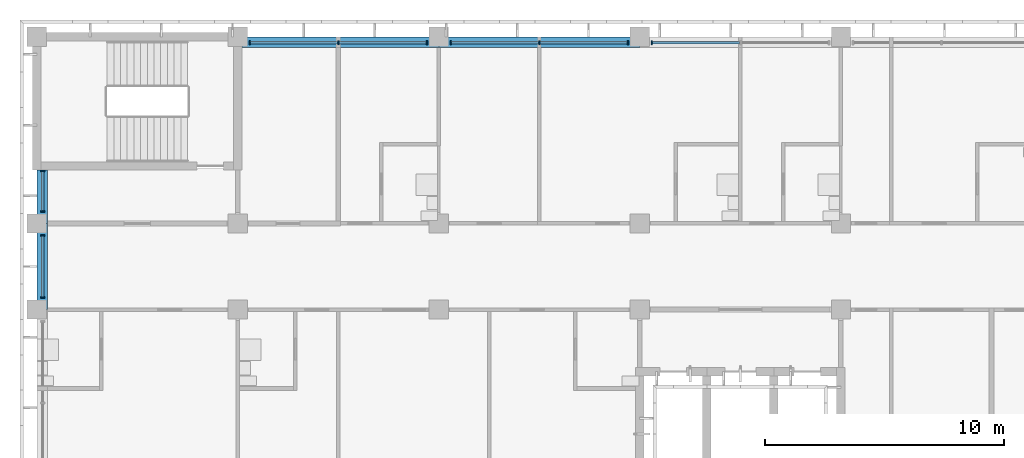
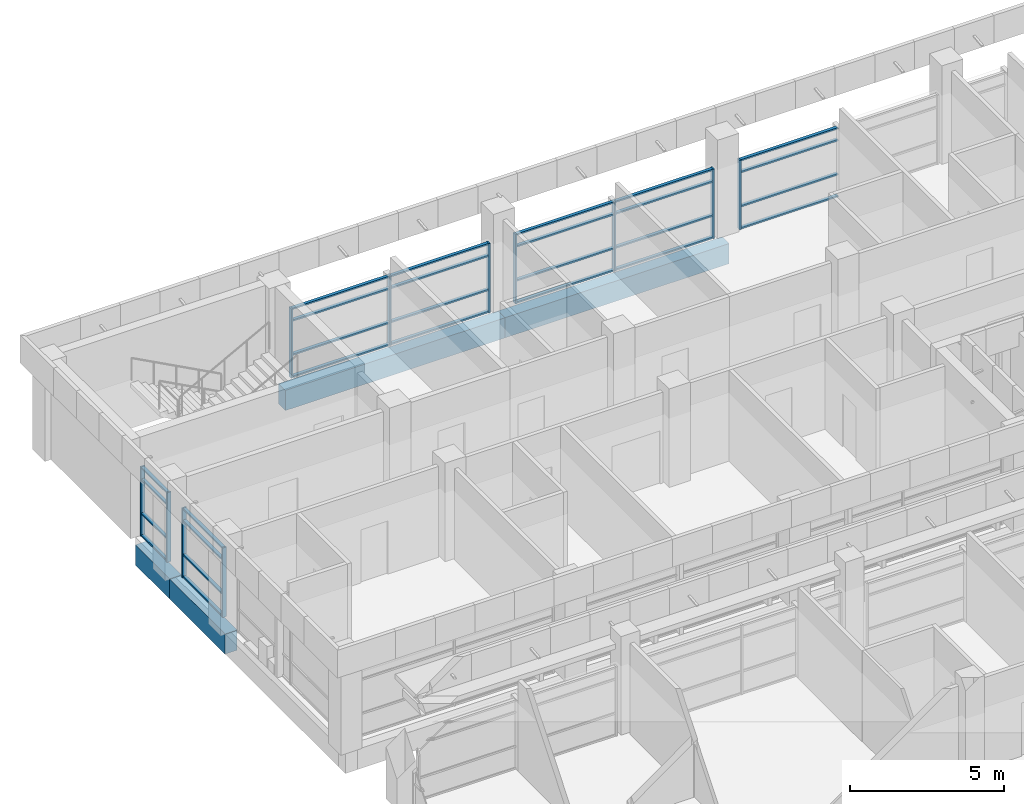
# One storey, part 9 of 71: 39 members, 4 beams, 5 elements without a shape of their own.
"""IFC4 building model written with IfcOpenShell, lengths in metres."""

from ifc_helpers import new_model, si_unit, direction, frame, origin, origin_2d, place, context, subcontext, project, spatial, rectangle, extrude, material, material_profile, profile_set, type_object, element, aggregate, save


model = new_model("IFC4")

# Units and contexts
model_context = context("Model", 3, precision=1e-05, world=origin(), true_north=direction((0.0, 1.0)))
body_context = subcontext(model_context, "Body", "Model", "MODEL_VIEW")
ifc_project = project(units=[si_unit("LENGTHUNIT", "METRE"), si_unit("AREAUNIT", "SQUARE_METRE"), si_unit("VOLUMEUNIT", "CUBIC_METRE"), si_unit("PLANEANGLEUNIT", "RADIAN"), si_unit("MASSUNIT", "GRAM", prefix="KILO")], contexts=[model_context])

# Site, building, storey
site_placement = place(None, origin())
site = spatial("IfcSite", under=ifc_project, at=site_placement, CompositionType="ELEMENT")
building_placement = place(site_placement, origin())
building = spatial("IfcBuilding", under=site, at=building_placement, Name="Bougainvillea Quay General Hospital", CompositionType="ELEMENT")
storey_placement = place(building_placement, frame((0.0, 0.0, 24.89990234375)))
storey = spatial("IfcBuildingStorey", under=building, at=storey_placement, Name="L05", CompositionType="ELEMENT", Elevation=24.89990234375)

# Curtain wall, member
ifc_material_1 = material(Name="Aluminium curtain wall system, powder-coated glazed", Category="aluminium")
curtain_wall_type_1 = type_object("IfcCurtainWallType", Name="Unitised curtain wall CW-3730", PredefinedType="NOTDEFINED", material=ifc_material_1)
curtain_wall_1_placement = place(storey_placement, origin())
curtain_wall_1 = element("IfcCurtainWall", 1, at=curtain_wall_1_placement, inside=storey, type_object=curtain_wall_type_1, Name="CW-4200 09", PredefinedType="NOTDEFINED")
ifc_material_2 = material(Name="Aluminium mullion, powder-coated charcoal", Category="aluminium")
ifc_material_profile_1 = material_profile(ifc_material_2, rectangle(XDim=0.159912109375, YDim=0.06005859375, at=origin_2d()))
ifc_profile_set_1 = profile_set([ifc_material_profile_1], Name="Aluminium mullion, powder-coated charcoal")
member_type_1 = type_object("IfcMemberType", Name="Curtain wall mullion 160x60", PredefinedType="MULLION", material=ifc_profile_set_1)
member_1_placement = place(storey_placement, frame((67.699951171875, 159.35009765625, 0.0), z_axis=(0.0, 0.0, 1.0), x_axis=(0.0, -1.0, 0.0)))
member_1 = element("IfcMember", 2, at=member_1_placement, type_object=member_type_1, Name="CW-4200 mullion 3", PredefinedType="MULLION", context=body_context, shape_type="SweptSolid", body=[
    extrude(rectangle(XDim=0.159912109375, YDim=0.06005859375, at=origin_2d()), origin(), (0.0, 0.0, 1.0), 2.75),
])

# Curtain wall, members
curtain_wall_2_placement = place(storey_placement, origin())
curtain_wall_2 = element("IfcCurtainWall", 3, at=curtain_wall_2_placement, inside=storey, type_object=curtain_wall_type_1, Name="CW-4200 10", PredefinedType="NOTDEFINED")
member_2_placement = place(storey_placement, frame((66.699951171875, 159.35009765625, 0.0), z_axis=(0.0, 0.0, 1.0), x_axis=(0.0, -1.0, 0.0)))
member_2 = element("IfcMember", 4, at=member_2_placement, type_object=member_type_1, Name="CW-4200 mullion 1", PredefinedType="MULLION", context=body_context, shape_type="SweptSolid", body=[
    extrude(rectangle(XDim=0.159912109375, YDim=0.06005859375, at=origin_2d()), origin(), (0.0, 0.0, 1.0), 2.75),
])
member_3_placement = place(storey_placement, frame((63.0, 159.35009765625, 0.0), z_axis=(0.0, 0.0, 1.0), x_axis=(0.0, -1.0, 0.0)))
member_3 = element("IfcMember", 5, at=member_3_placement, type_object=member_type_1, Name="CW-4200 mullion 2", PredefinedType="MULLION", context=body_context, shape_type="SweptSolid", body=[
    extrude(rectangle(XDim=0.159912109375, YDim=0.06005859375, at=origin_2d()), origin(), (0.0, 0.0, 1.0), 2.75),
])
member_4_placement = place(storey_placement, frame((59.300048828125, 159.35009765625, 0.0), z_axis=(0.0, 0.0, 1.0), x_axis=(0.0, -1.0, 0.0)))
member_4 = element("IfcMember", 6, at=member_4_placement, type_object=member_type_1, Name="CW-4200 mullion 3", PredefinedType="MULLION", context=body_context, shape_type="SweptSolid", body=[
    extrude(rectangle(XDim=0.159912109375, YDim=0.06005859375, at=origin_2d()), origin(), (0.0, 0.0, 1.0), 2.75),
])

curtain_wall_3_placement = place(storey_placement, origin())
curtain_wall_3 = element("IfcCurtainWall", 7, at=curtain_wall_3_placement, inside=storey, type_object=curtain_wall_type_1, Name="CW-4200 11", PredefinedType="NOTDEFINED")
member_5_placement = place(storey_placement, frame((58.300048828125, 159.35009765625, 0.0), z_axis=(0.0, 0.0, 1.0), x_axis=(0.0, -1.0, 0.0)))
member_5 = element("IfcMember", 8, at=member_5_placement, type_object=member_type_1, Name="CW-4200 mullion 1", PredefinedType="MULLION", context=body_context, shape_type="SweptSolid", body=[
    extrude(rectangle(XDim=0.159912109375, YDim=0.06005859375, at=origin_2d()), origin(), (0.0, 0.0, 1.0), 2.75),
])
member_6_placement = place(storey_placement, frame((54.60009765625, 159.35009765625, 0.0), z_axis=(0.0, 0.0, 1.0), x_axis=(0.0, -1.0, 0.0)))
member_6 = element("IfcMember", 9, at=member_6_placement, type_object=member_type_1, Name="CW-4200 mullion 2", PredefinedType="MULLION", context=body_context, shape_type="SweptSolid", body=[
    extrude(rectangle(XDim=0.159912109375, YDim=0.06005859375, at=origin_2d()), origin(), (0.0, 0.0, 1.0), 2.75),
])
member_7_placement = place(storey_placement, frame((50.89990234375, 159.35009765625, 0.0), z_axis=(0.0, 0.0, 1.0), x_axis=(0.0, -1.0, 0.0)))
member_7 = element("IfcMember", 10, at=member_7_placement, type_object=member_type_1, Name="CW-4200 mullion 3", PredefinedType="MULLION", context=body_context, shape_type="SweptSolid", body=[
    extrude(rectangle(XDim=0.159912109375, YDim=0.06005859375, at=origin_2d()), origin(), (0.0, 0.0, 1.0), 2.75),
])

curtain_wall_type_2 = type_object("IfcCurtainWallType", Name="Unitised curtain wall CW-1755", PredefinedType="NOTDEFINED", material=ifc_material_1)
curtain_wall_4_placement = place(storey_placement, origin())
curtain_wall_4 = element("IfcCurtainWall", 11, at=curtain_wall_4_placement, inside=storey, type_object=curtain_wall_type_2, Name="CW-4200 00", PredefinedType="NOTDEFINED")
member_8_placement = place(storey_placement, frame((42.25, 153.9951171875, 0.0), z_axis=(0.0, 0.0, 1.0), x_axis=(1.0, 0.0, 0.0)))
member_8 = element("IfcMember", 12, at=member_8_placement, type_object=member_type_1, Name="CW-4200 mullion 1", PredefinedType="MULLION", context=body_context, shape_type="SweptSolid", body=[
    extrude(rectangle(XDim=0.159912109375, YDim=0.06005859375, at=origin_2d()), origin(), (0.0, 0.0, 1.0), 2.75),
])
member_9_placement = place(storey_placement, frame((42.25, 152.300048828125, 0.0), z_axis=(0.0, 0.0, 1.0), x_axis=(1.0, 0.0, 0.0)))
member_9 = element("IfcMember", 13, at=member_9_placement, type_object=member_type_1, Name="CW-4200 mullion 2", PredefinedType="MULLION", context=body_context, shape_type="SweptSolid", body=[
    extrude(rectangle(XDim=0.159912109375, YDim=0.06005859375, at=origin_2d()), origin(), (0.0, 0.0, 1.0), 2.75),
])

curtain_wall_type_3 = type_object("IfcCurtainWallType", Name="Unitised curtain wall CW-2660", PredefinedType="NOTDEFINED", material=ifc_material_1)
curtain_wall_5_placement = place(storey_placement, origin())
curtain_wall_5 = element("IfcCurtainWall", 14, at=curtain_wall_5_placement, inside=storey, type_object=curtain_wall_type_3, Name="CW-4200 01", PredefinedType="NOTDEFINED")
member_10_placement = place(storey_placement, frame((42.25, 151.300048828125, 0.0), z_axis=(0.0, 0.0, 1.0), x_axis=(1.0, 0.0, 0.0)))
member_10 = element("IfcMember", 15, at=member_10_placement, type_object=member_type_1, Name="CW-4200 mullion 1", PredefinedType="MULLION", context=body_context, shape_type="SweptSolid", body=[
    extrude(rectangle(XDim=0.159912109375, YDim=0.06005859375, at=origin_2d()), origin(), (0.0, 0.0, 1.0), 2.75),
])
member_11_placement = place(storey_placement, frame((42.25, 148.699951171875, 0.0), z_axis=(0.0, 0.0, 1.0), x_axis=(1.0, 0.0, 0.0)))
member_11 = element("IfcMember", 16, at=member_11_placement, type_object=member_type_1, Name="CW-4200 mullion 2", PredefinedType="MULLION", context=body_context, shape_type="SweptSolid", body=[
    extrude(rectangle(XDim=0.159912109375, YDim=0.06005859375, at=origin_2d()), origin(), (0.0, 0.0, 1.0), 2.75),
])

# Member
ifc_material_3 = material(Name="Aluminium transom, powder-coated charcoal", Category="aluminium")
ifc_material_profile_2 = material_profile(ifc_material_3, rectangle(XDim=0.1201171875, YDim=0.06005859375, at=origin_2d()))
ifc_profile_set_2 = profile_set([ifc_material_profile_2], Name="Aluminium transom, powder-coated charcoal")
member_type_2 = type_object("IfcMemberType", Name="Curtain wall transom 120x60", PredefinedType="USERDEFINED", material=ifc_profile_set_2)
member_12_placement = place(storey_placement, frame((71.3701171875, 159.35009765625, 0.030029296875), z_axis=(-1.0, 0.0, 0.0), x_axis=(0.0, -1.0, 0.0)))
member_12 = element("IfcMember", 17, at=member_12_placement, type_object=member_type_2, Name="CW-4200 transom 2.1", ObjectType="TRANSOM", PredefinedType="USERDEFINED", context=body_context, shape_type="SweptSolid", body=[
    extrude(rectangle(XDim=0.1201171875, YDim=0.06005859375, at=origin_2d()), origin(), (0.0, 0.0, 1.0), 3.64013671875),
])

member_13_placement = place(storey_placement, frame((71.3701171875, 159.35009765625, 0.900146484375), z_axis=(-1.0, 0.0, 0.0), x_axis=(0.0, -1.0, 0.0)))
member_13 = element("IfcMember", 18, at=member_13_placement, type_object=member_type_2, Name="CW-4200 transom 2.2", ObjectType="TRANSOM", PredefinedType="USERDEFINED", context=body_context, shape_type="SweptSolid", body=[
    extrude(rectangle(XDim=0.1201171875, YDim=0.06005859375, at=origin_2d()), origin(), (0.0, 0.0, 1.0), 3.64013671875),
])

member_14_placement = place(storey_placement, frame((71.3701171875, 159.35009765625, 2.25), z_axis=(-1.0, 0.0, 0.0), x_axis=(0.0, -1.0, 0.0)))
member_14 = element("IfcMember", 19, at=member_14_placement, type_object=member_type_2, Name="CW-4200 transom 2.3", ObjectType="TRANSOM", PredefinedType="USERDEFINED", context=body_context, shape_type="SweptSolid", body=[
    extrude(rectangle(XDim=0.1201171875, YDim=0.06005859375, at=origin_2d()), origin(), (0.0, 0.0, 1.0), 3.64013671875),
])

member_15_placement = place(storey_placement, frame((71.3701171875, 159.35009765625, 2.72021484375), z_axis=(-1.0, 0.0, 0.0), x_axis=(0.0, -1.0, 0.0)))
member_15 = element("IfcMember", 20, at=member_15_placement, type_object=member_type_2, Name="CW-4200 transom 2.4", ObjectType="TRANSOM", PredefinedType="USERDEFINED", context=body_context, shape_type="SweptSolid", body=[
    extrude(rectangle(XDim=0.1201171875, YDim=0.06005859375, at=origin_2d()), origin(), (0.0, 0.0, 1.0), 3.64013671875),
])

aggregate(curtain_wall_1, [member_1, member_12, member_13, member_14, member_15])

member_16_placement = place(storey_placement, frame((66.669921875, 159.35009765625, 0.030029296875), z_axis=(-1.0, 0.0, 0.0), x_axis=(0.0, -1.0, 0.0)))
member_16 = element("IfcMember", 21, at=member_16_placement, type_object=member_type_2, Name="CW-4200 transom 1.1", ObjectType="TRANSOM", PredefinedType="USERDEFINED", context=body_context, shape_type="SweptSolid", body=[
    extrude(rectangle(XDim=0.1201171875, YDim=0.06005859375, at=origin_2d()), origin(), (0.0, 0.0, 1.0), 3.639892578125),
])

member_17_placement = place(storey_placement, frame((66.669921875, 159.35009765625, 0.900146484375), z_axis=(-1.0, 0.0, 0.0), x_axis=(0.0, -1.0, 0.0)))
member_17 = element("IfcMember", 22, at=member_17_placement, type_object=member_type_2, Name="CW-4200 transom 1.2", ObjectType="TRANSOM", PredefinedType="USERDEFINED", context=body_context, shape_type="SweptSolid", body=[
    extrude(rectangle(XDim=0.1201171875, YDim=0.06005859375, at=origin_2d()), origin(), (0.0, 0.0, 1.0), 3.639892578125),
])

member_18_placement = place(storey_placement, frame((66.669921875, 159.35009765625, 2.25), z_axis=(-1.0, 0.0, 0.0), x_axis=(0.0, -1.0, 0.0)))
member_18 = element("IfcMember", 23, at=member_18_placement, type_object=member_type_2, Name="CW-4200 transom 1.3", ObjectType="TRANSOM", PredefinedType="USERDEFINED", context=body_context, shape_type="SweptSolid", body=[
    extrude(rectangle(XDim=0.1201171875, YDim=0.06005859375, at=origin_2d()), origin(), (0.0, 0.0, 1.0), 3.639892578125),
])

member_19_placement = place(storey_placement, frame((66.669921875, 159.35009765625, 2.72021484375), z_axis=(-1.0, 0.0, 0.0), x_axis=(0.0, -1.0, 0.0)))
member_19 = element("IfcMember", 24, at=member_19_placement, type_object=member_type_2, Name="CW-4200 transom 1.4", ObjectType="TRANSOM", PredefinedType="USERDEFINED", context=body_context, shape_type="SweptSolid", body=[
    extrude(rectangle(XDim=0.1201171875, YDim=0.06005859375, at=origin_2d()), origin(), (0.0, 0.0, 1.0), 3.639892578125),
])

member_20_placement = place(storey_placement, frame((62.969970703125, 159.35009765625, 0.030029296875), z_axis=(-1.0, 0.0, 0.0), x_axis=(0.0, -1.0, 0.0)))
member_20 = element("IfcMember", 25, at=member_20_placement, type_object=member_type_2, Name="CW-4200 transom 2.1", ObjectType="TRANSOM", PredefinedType="USERDEFINED", context=body_context, shape_type="SweptSolid", body=[
    extrude(rectangle(XDim=0.1201171875, YDim=0.06005859375, at=origin_2d()), origin(), (0.0, 0.0, 1.0), 3.639892578125),
])

member_21_placement = place(storey_placement, frame((62.969970703125, 159.35009765625, 0.900146484375), z_axis=(-1.0, 0.0, 0.0), x_axis=(0.0, -1.0, 0.0)))
member_21 = element("IfcMember", 26, at=member_21_placement, type_object=member_type_2, Name="CW-4200 transom 2.2", ObjectType="TRANSOM", PredefinedType="USERDEFINED", context=body_context, shape_type="SweptSolid", body=[
    extrude(rectangle(XDim=0.1201171875, YDim=0.06005859375, at=origin_2d()), origin(), (0.0, 0.0, 1.0), 3.639892578125),
])

member_22_placement = place(storey_placement, frame((62.969970703125, 159.35009765625, 2.25), z_axis=(-1.0, 0.0, 0.0), x_axis=(0.0, -1.0, 0.0)))
member_22 = element("IfcMember", 27, at=member_22_placement, type_object=member_type_2, Name="CW-4200 transom 2.3", ObjectType="TRANSOM", PredefinedType="USERDEFINED", context=body_context, shape_type="SweptSolid", body=[
    extrude(rectangle(XDim=0.1201171875, YDim=0.06005859375, at=origin_2d()), origin(), (0.0, 0.0, 1.0), 3.639892578125),
])

member_23_placement = place(storey_placement, frame((62.969970703125, 159.35009765625, 2.72021484375), z_axis=(-1.0, 0.0, 0.0), x_axis=(0.0, -1.0, 0.0)))
member_23 = element("IfcMember", 28, at=member_23_placement, type_object=member_type_2, Name="CW-4200 transom 2.4", ObjectType="TRANSOM", PredefinedType="USERDEFINED", context=body_context, shape_type="SweptSolid", body=[
    extrude(rectangle(XDim=0.1201171875, YDim=0.06005859375, at=origin_2d()), origin(), (0.0, 0.0, 1.0), 3.639892578125),
])

aggregate(curtain_wall_2, [member_2, member_3, member_4, member_16, member_17, member_18, member_19, member_20, member_21, member_22, member_23])

member_24_placement = place(storey_placement, frame((58.27001953125, 159.35009765625, 0.030029296875), z_axis=(-1.0, 0.0, 0.0), x_axis=(0.0, -1.0, 0.0)))
member_24 = element("IfcMember", 29, at=member_24_placement, type_object=member_type_2, Name="CW-4200 transom 1.1", ObjectType="TRANSOM", PredefinedType="USERDEFINED", context=body_context, shape_type="SweptSolid", body=[
    extrude(rectangle(XDim=0.1201171875, YDim=0.06005859375, at=origin_2d()), origin(), (0.0, 0.0, 1.0), 3.64013671875),
])

member_25_placement = place(storey_placement, frame((58.27001953125, 159.35009765625, 0.900146484375), z_axis=(-1.0, 0.0, 0.0), x_axis=(0.0, -1.0, 0.0)))
member_25 = element("IfcMember", 30, at=member_25_placement, type_object=member_type_2, Name="CW-4200 transom 1.2", ObjectType="TRANSOM", PredefinedType="USERDEFINED", context=body_context, shape_type="SweptSolid", body=[
    extrude(rectangle(XDim=0.1201171875, YDim=0.06005859375, at=origin_2d()), origin(), (0.0, 0.0, 1.0), 3.64013671875),
])

member_26_placement = place(storey_placement, frame((58.27001953125, 159.35009765625, 2.25), z_axis=(-1.0, 0.0, 0.0), x_axis=(0.0, -1.0, 0.0)))
member_26 = element("IfcMember", 31, at=member_26_placement, type_object=member_type_2, Name="CW-4200 transom 1.3", ObjectType="TRANSOM", PredefinedType="USERDEFINED", context=body_context, shape_type="SweptSolid", body=[
    extrude(rectangle(XDim=0.1201171875, YDim=0.06005859375, at=origin_2d()), origin(), (0.0, 0.0, 1.0), 3.64013671875),
])

member_27_placement = place(storey_placement, frame((58.27001953125, 159.35009765625, 2.72021484375), z_axis=(-1.0, 0.0, 0.0), x_axis=(0.0, -1.0, 0.0)))
member_27 = element("IfcMember", 32, at=member_27_placement, type_object=member_type_2, Name="CW-4200 transom 1.4", ObjectType="TRANSOM", PredefinedType="USERDEFINED", context=body_context, shape_type="SweptSolid", body=[
    extrude(rectangle(XDim=0.1201171875, YDim=0.06005859375, at=origin_2d()), origin(), (0.0, 0.0, 1.0), 3.64013671875),
])

member_28_placement = place(storey_placement, frame((54.570068359375, 159.35009765625, 0.030029296875), z_axis=(-1.0, 0.0, 0.0), x_axis=(0.0, -1.0, 0.0)))
member_28 = element("IfcMember", 33, at=member_28_placement, type_object=member_type_2, Name="CW-4200 transom 2.1", ObjectType="TRANSOM", PredefinedType="USERDEFINED", context=body_context, shape_type="SweptSolid", body=[
    extrude(rectangle(XDim=0.1201171875, YDim=0.06005859375, at=origin_2d()), origin(), (0.0, 0.0, 1.0), 3.64013671875),
])

member_29_placement = place(storey_placement, frame((54.570068359375, 159.35009765625, 0.900146484375), z_axis=(-1.0, 0.0, 0.0), x_axis=(0.0, -1.0, 0.0)))
member_29 = element("IfcMember", 34, at=member_29_placement, type_object=member_type_2, Name="CW-4200 transom 2.2", ObjectType="TRANSOM", PredefinedType="USERDEFINED", context=body_context, shape_type="SweptSolid", body=[
    extrude(rectangle(XDim=0.1201171875, YDim=0.06005859375, at=origin_2d()), origin(), (0.0, 0.0, 1.0), 3.64013671875),
])

member_30_placement = place(storey_placement, frame((54.570068359375, 159.35009765625, 2.25), z_axis=(-1.0, 0.0, 0.0), x_axis=(0.0, -1.0, 0.0)))
member_30 = element("IfcMember", 35, at=member_30_placement, type_object=member_type_2, Name="CW-4200 transom 2.3", ObjectType="TRANSOM", PredefinedType="USERDEFINED", context=body_context, shape_type="SweptSolid", body=[
    extrude(rectangle(XDim=0.1201171875, YDim=0.06005859375, at=origin_2d()), origin(), (0.0, 0.0, 1.0), 3.64013671875),
])

member_31_placement = place(storey_placement, frame((54.570068359375, 159.35009765625, 2.72021484375), z_axis=(-1.0, 0.0, 0.0), x_axis=(0.0, -1.0, 0.0)))
member_31 = element("IfcMember", 36, at=member_31_placement, type_object=member_type_2, Name="CW-4200 transom 2.4", ObjectType="TRANSOM", PredefinedType="USERDEFINED", context=body_context, shape_type="SweptSolid", body=[
    extrude(rectangle(XDim=0.1201171875, YDim=0.06005859375, at=origin_2d()), origin(), (0.0, 0.0, 1.0), 3.64013671875),
])

aggregate(curtain_wall_3, [member_5, member_6, member_7, member_24, member_25, member_26, member_27, member_28, member_29, member_30, member_31])

member_32_placement = place(storey_placement, frame((42.25, 153.965087890625, 0.030029296875), z_axis=(0.0, -1.0, 0.0), x_axis=(1.0, 0.0, 0.0)))
member_32 = element("IfcMember", 37, at=member_32_placement, type_object=member_type_2, Name="CW-4200 transom 1.1", ObjectType="TRANSOM", PredefinedType="USERDEFINED", context=body_context, shape_type="SweptSolid", body=[
    extrude(rectangle(XDim=0.1201171875, YDim=0.06005859375, at=origin_2d()), origin(), (0.0, 0.0, 1.0), 1.635009765625),
])

member_33_placement = place(storey_placement, frame((42.25, 153.965087890625, 0.900146484375), z_axis=(0.0, -1.0, 0.0), x_axis=(1.0, 0.0, 0.0)))
member_33 = element("IfcMember", 38, at=member_33_placement, type_object=member_type_2, Name="CW-4200 transom 1.2", ObjectType="TRANSOM", PredefinedType="USERDEFINED", context=body_context, shape_type="SweptSolid", body=[
    extrude(rectangle(XDim=0.1201171875, YDim=0.06005859375, at=origin_2d()), origin(), (0.0, 0.0, 1.0), 1.635009765625),
])

member_34_placement = place(storey_placement, frame((42.25, 153.965087890625, 2.25), z_axis=(0.0, -1.0, 0.0), x_axis=(1.0, 0.0, 0.0)))
member_34 = element("IfcMember", 39, at=member_34_placement, type_object=member_type_2, Name="CW-4200 transom 1.3", ObjectType="TRANSOM", PredefinedType="USERDEFINED", context=body_context, shape_type="SweptSolid", body=[
    extrude(rectangle(XDim=0.1201171875, YDim=0.06005859375, at=origin_2d()), origin(), (0.0, 0.0, 1.0), 1.635009765625),
])

member_35_placement = place(storey_placement, frame((42.25, 153.965087890625, 2.72021484375), z_axis=(0.0, -1.0, 0.0), x_axis=(1.0, 0.0, 0.0)))
member_35 = element("IfcMember", 40, at=member_35_placement, type_object=member_type_2, Name="CW-4200 transom 1.4", ObjectType="TRANSOM", PredefinedType="USERDEFINED", context=body_context, shape_type="SweptSolid", body=[
    extrude(rectangle(XDim=0.1201171875, YDim=0.06005859375, at=origin_2d()), origin(), (0.0, 0.0, 1.0), 1.635009765625),
])

aggregate(curtain_wall_4, [member_8, member_9, member_32, member_33, member_34, member_35])

member_36_placement = place(storey_placement, frame((42.25, 151.27001953125, 0.030029296875), z_axis=(0.0, -1.0, 0.0), x_axis=(1.0, 0.0, 0.0)))
member_36 = element("IfcMember", 41, at=member_36_placement, type_object=member_type_2, Name="CW-4200 transom 1.1", ObjectType="TRANSOM", PredefinedType="USERDEFINED", context=body_context, shape_type="SweptSolid", body=[
    extrude(rectangle(XDim=0.1201171875, YDim=0.06005859375, at=origin_2d()), origin(), (0.0, 0.0, 1.0), 2.5400390625),
])

member_37_placement = place(storey_placement, frame((42.25, 151.27001953125, 0.900146484375), z_axis=(0.0, -1.0, 0.0), x_axis=(1.0, 0.0, 0.0)))
member_37 = element("IfcMember", 42, at=member_37_placement, type_object=member_type_2, Name="CW-4200 transom 1.2", ObjectType="TRANSOM", PredefinedType="USERDEFINED", context=body_context, shape_type="SweptSolid", body=[
    extrude(rectangle(XDim=0.1201171875, YDim=0.06005859375, at=origin_2d()), origin(), (0.0, 0.0, 1.0), 2.5400390625),
])

member_38_placement = place(storey_placement, frame((42.25, 151.27001953125, 2.25), z_axis=(0.0, -1.0, 0.0), x_axis=(1.0, 0.0, 0.0)))
member_38 = element("IfcMember", 43, at=member_38_placement, type_object=member_type_2, Name="CW-4200 transom 1.3", ObjectType="TRANSOM", PredefinedType="USERDEFINED", context=body_context, shape_type="SweptSolid", body=[
    extrude(rectangle(XDim=0.1201171875, YDim=0.06005859375, at=origin_2d()), origin(), (0.0, 0.0, 1.0), 2.5400390625),
])

member_39_placement = place(storey_placement, frame((42.25, 151.27001953125, 2.72021484375), z_axis=(0.0, -1.0, 0.0), x_axis=(1.0, 0.0, 0.0)))
member_39 = element("IfcMember", 44, at=member_39_placement, type_object=member_type_2, Name="CW-4200 transom 1.4", ObjectType="TRANSOM", PredefinedType="USERDEFINED", context=body_context, shape_type="SweptSolid", body=[
    extrude(rectangle(XDim=0.1201171875, YDim=0.06005859375, at=origin_2d()), origin(), (0.0, 0.0, 1.0), 2.5400390625),
])

aggregate(curtain_wall_5, [member_10, member_11, member_36, member_37, member_38, member_39])

# Beams
ifc_material_4 = material(Name="Concrete C40", Category="concrete")
ifc_material_profile_3 = material_profile(ifc_material_4, rectangle(XDim=0.449951171875, YDim=0.800048828125, at=origin_2d()))
ifc_profile_set_3 = profile_set([ifc_material_profile_3], Name="Concrete C40")
beam_type = type_object("IfcBeamType", Name="RC BEAM 450x800 C40", PredefinedType="BEAM", material=ifc_profile_set_3)
beam_1_placement = place(storey_placement, frame((67.199951171875, 159.375, -0.699951171875), z_axis=(-1.0, 0.0, 0.0), x_axis=(0.0, -1.0, 0.0)))
element("IfcBeam", 45, at=beam_1_placement, inside=storey, type_object=beam_type, Name="Edge beam L05", PredefinedType="BEAM", context=body_context, shape_type="SweptSolid", body=[
    extrude(rectangle(XDim=0.449951171875, YDim=0.800048828125, at=origin_2d()), origin(), (0.0, 0.0, 1.0), 8.39990234375),
])
beam_2_placement = place(storey_placement, frame((58.800048828125, 159.375, -0.699951171875), z_axis=(-1.0, 0.0, 0.0), x_axis=(0.0, -1.0, 0.0)))
element("IfcBeam", 46, at=beam_2_placement, inside=storey, type_object=beam_type, Name="Edge beam L05", PredefinedType="BEAM", context=body_context, shape_type="SweptSolid", body=[
    extrude(rectangle(XDim=0.449951171875, YDim=0.800048828125, at=origin_2d()), origin(), (0.0, 0.0, 1.0), 8.22509765625),
])
beam_3_placement = place(storey_placement, frame((42.22509765625, 154.02490234375, -0.699951171875), z_axis=(0.0, -1.0, 0.0), x_axis=(1.0, 0.0, 0.0)))
element("IfcBeam", 47, at=beam_3_placement, inside=storey, type_object=beam_type, Name="Edge beam L05", PredefinedType="BEAM", context=body_context, shape_type="SweptSolid", body=[
    extrude(rectangle(XDim=0.449951171875, YDim=0.800048828125, at=origin_2d()), origin(), (0.0, 0.0, 1.0), 2.224853515625),
])
beam_4_placement = place(storey_placement, frame((42.22509765625, 151.800048828125, -0.699951171875), z_axis=(0.0, -1.0, 0.0), x_axis=(1.0, 0.0, 0.0)))
element("IfcBeam", 48, at=beam_4_placement, inside=storey, type_object=beam_type, Name="Edge beam L05", PredefinedType="BEAM", context=body_context, shape_type="SweptSolid", body=[
    extrude(rectangle(XDim=0.449951171875, YDim=0.800048828125, at=origin_2d()), origin(), (0.0, 0.0, 1.0), 3.60009765625),
])

save(model, "model.ifc")
